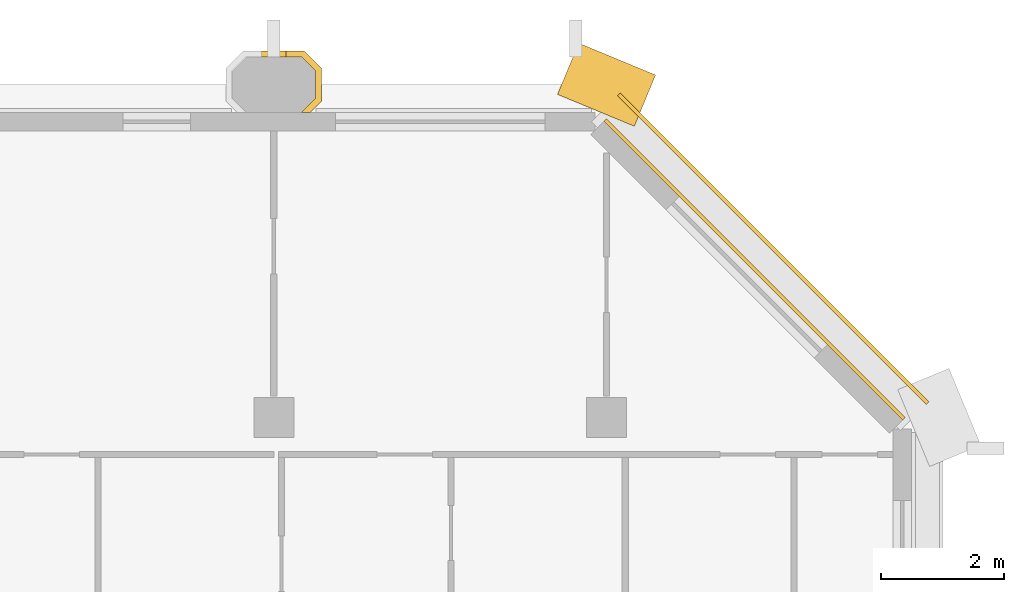
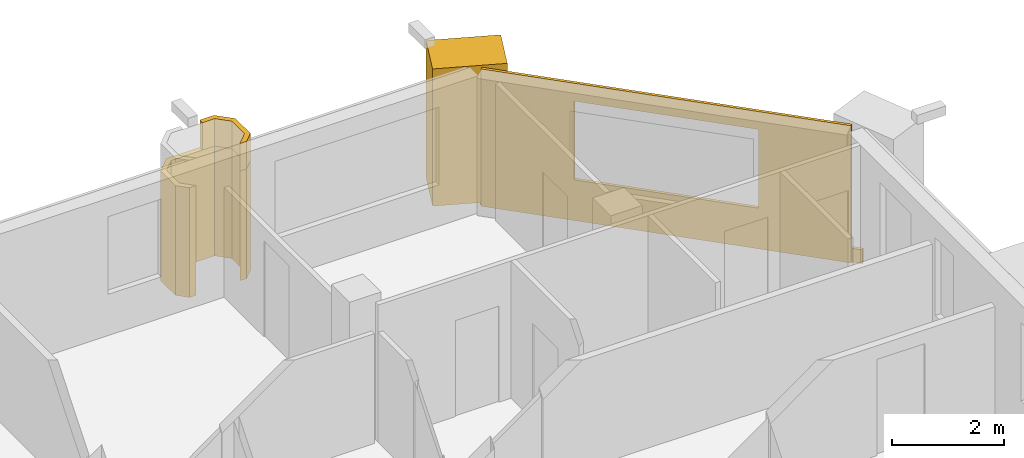
# One storey, part 14 of 14: 5 coverings.
"""IFC4 building model written with IfcOpenShell, lengths in metres."""

from ifc_helpers import new_model, si_unit, direction, frame, frame_2d, origin, place, context, subcontext, project, spatial, polyline, rectangle, outline, extrude, material, layer, layer_set, type_object, element, save


model = new_model("IFC4")

# Units and contexts
model_context = context("Model", 3, precision=1e-05, world=origin(), true_north=direction((0.0, 1.0)))
body_context = subcontext(model_context, "Body", "Model", "MODEL_VIEW")
ifc_project = project(units=[si_unit("LENGTHUNIT", "METRE"), si_unit("AREAUNIT", "SQUARE_METRE"), si_unit("VOLUMEUNIT", "CUBIC_METRE"), si_unit("PLANEANGLEUNIT", "RADIAN"), si_unit("MASSUNIT", "GRAM", prefix="KILO")], contexts=[model_context])

# Site, building, storey
site_placement = place(None, origin())
site = spatial("IfcSite", under=ifc_project, at=site_placement, CompositionType="ELEMENT")
building_placement = place(site_placement, origin())
building = spatial("IfcBuilding", under=site, at=building_placement, Name="Tabaq Tower and Sports Hall", CompositionType="ELEMENT")
storey_placement = place(building_placement, frame((0.0, 0.0, 285.10009765625)))
storey = spatial("IfcBuildingStorey", under=building, at=storey_placement, Name="L70", CompositionType="ELEMENT", Elevation=285.10009765625)

# Coverings
ifc_material_1 = material(Name="Precast concrete C60/75", Category="concrete")
ifc_layer_1 = layer(ifc_material_1, 0.10009765625)
ifc_layer_set_1 = layer_set([ifc_layer_1], Name="Column cladding 100")
covering_type_1 = type_object("IfcCoveringType", Name="Column cladding 100", PredefinedType="CLADDING", material=ifc_layer_set_1)
covering_1_placement = place(storey_placement, origin())
element("IfcCovering", 1, at=covering_1_placement, inside=storey, type_object=covering_type_1, Name="Column cladding L70 PC-8I-R1", PredefinedType="CLADDING", context=body_context, shape_type="SweptSolid", body=[
    extrude(outline(polyline([(37.025390625, 43.46630859375), (37.30859375, 43.749755859375), (38.291259765625, 43.749755859375), (38.57470703125, 43.46630859375), (38.57470703125, 42.93359375), (38.391357421875, 42.750244140625), (38.250732421875, 42.750244140625), (38.475341796875, 42.974853515625), (38.475341796875, 43.425048828125), (38.250244140625, 43.650390625), (37.349853515625, 43.650390625), (37.124755859375, 43.425048828125), (37.124755859375, 42.974853515625), (37.349365234375, 42.750244140625), (37.208740234375, 42.750244140625), (37.025390625, 42.93359375), (37.025390625, 43.46630859375)])), origin(), (0.0, 0.0, 1.0), 2.39990234375),
])
covering_2_placement = place(storey_placement, frame((0.0, 0.0, 2.39990234375)))
element("IfcCovering", 2, at=covering_2_placement, inside=storey, type_object=covering_type_1, Name="Column cladding L70 PC-8I-R1 head 2", PredefinedType="CLADDING", context=body_context, shape_type="SweptSolid", body=[
    extrude(outline(polyline([(38.291259765625, 43.749755859375), (38.57470703125, 43.46630859375), (38.57470703125, 42.93359375), (38.391357421875, 42.750244140625), (38.250732421875, 42.750244140625), (38.475341796875, 42.974853515625), (38.475341796875, 43.425048828125), (38.250244140625, 43.650390625), (38.000244140625, 43.650390625), (38.000244140625, 43.749755859375), (38.291259765625, 43.749755859375)])), origin(), (0.0, 0.0, 1.0), 0.60009765625),
])
ifc_material_2 = material(Name="Precast concrete C60/75", Category="concrete")
ifc_layer_2 = layer(ifc_material_2, 0.06005859375)
ifc_layer_set_2 = layer_set([ifc_layer_2], Name="Edge beam cladding 60")
covering_type_2 = type_object("IfcCoveringType", Name="Edge beam cladding 60", PredefinedType="CLADDING", material=ifc_layer_set_2)
covering_3_placement = place(storey_placement, frame((48.41015625, 38.0322265625, -0.300048828125), z_axis=(0.0, 0.0, 1.0), x_axis=(-0.707106781187, 0.707106781187, 0.0)))
element("IfcCovering", 3, at=covering_3_placement, inside=storey, type_object=covering_type_2, Name="Edge beam cladding L70 4", PredefinedType="CLADDING", context=body_context, shape_type="SweptSolid", body=[
    extrude(rectangle(XDim=7.08837890625, YDim=0.06005859375, at=frame_2d((3.544189453125, 0.0))), origin(), (0.0, 0.0, 1.0), 0.300048828125),
])
ifc_material_3 = material(Name="White precast concrete C60/75", Category="concrete")
covering_type_3 = type_object("IfcCoveringType", Name="Pier cladding hung 1350x900", PredefinedType="CLADDING", material=ifc_material_3)
covering_4_placement = place(storey_placement, frame((43.82373046875, 42.941650390625, 0.0), z_axis=(0.0, 0.0, 1.0), x_axis=(-0.923893411637, 0.382649923473, 0.0)))
element("IfcCovering", 4, at=covering_4_placement, inside=storey, type_object=covering_type_3, Name="Hung pier cladding 8/8", PredefinedType="CLADDING", context=body_context, shape_type="SweptSolid", body=[
    extrude(rectangle(XDim=1.35009765625, YDim=0.89990234375, at=frame_2d((0.675048828125, 0.0))), origin(), (0.0, 0.0, 1.0), 3.0),
])
ifc_material_4 = material(Name="Precast concrete C60/75", Category="concrete")
ifc_layer_3 = layer(ifc_material_4, 0.06005859375)
ifc_layer_set_3 = layer_set([ifc_layer_3], Name="White precast cladding panel 60 C60/75")
covering_type_4 = type_object("IfcCoveringType", Name="White precast cladding panel 60 C60/75", PredefinedType="CLADDING", material=ifc_layer_set_3)
covering_5_placement = place(storey_placement, frame((48.0283203125, 37.77783203125, 0.0), z_axis=(0.0, 0.0, 1.0), x_axis=(-0.707124576528, 0.707088985397, 0.0)))
element("IfcCovering", 5, at=covering_5_placement, inside=storey, type_object=covering_type_4, Name="White precast cladding panel L70 wall03", PredefinedType="CLADDING", context=body_context, shape_type="SweptSolid", body=[
    extrude(outline(polyline([(0.0, 0.0), (6.859619140625, 0.0), (6.859619140625, 3.0), (0.0, 3.0), (0.0, 0.0)]), holes=[polyline([(1.7197265625, 0.889892578125), (1.7197265625, 2.60986328125), (5.139892578125, 2.60986328125), (5.139892578125, 0.889892578125), (1.7197265625, 0.889892578125)])]), frame((0.0, 0.030029296875, 0.0), z_axis=(0.0, -1.0, 0.0), x_axis=(1.0, 0.0, 0.0)), (0.0, 0.0, 1.0), 0.06005859375),
])

save(model, "model.ifc")
